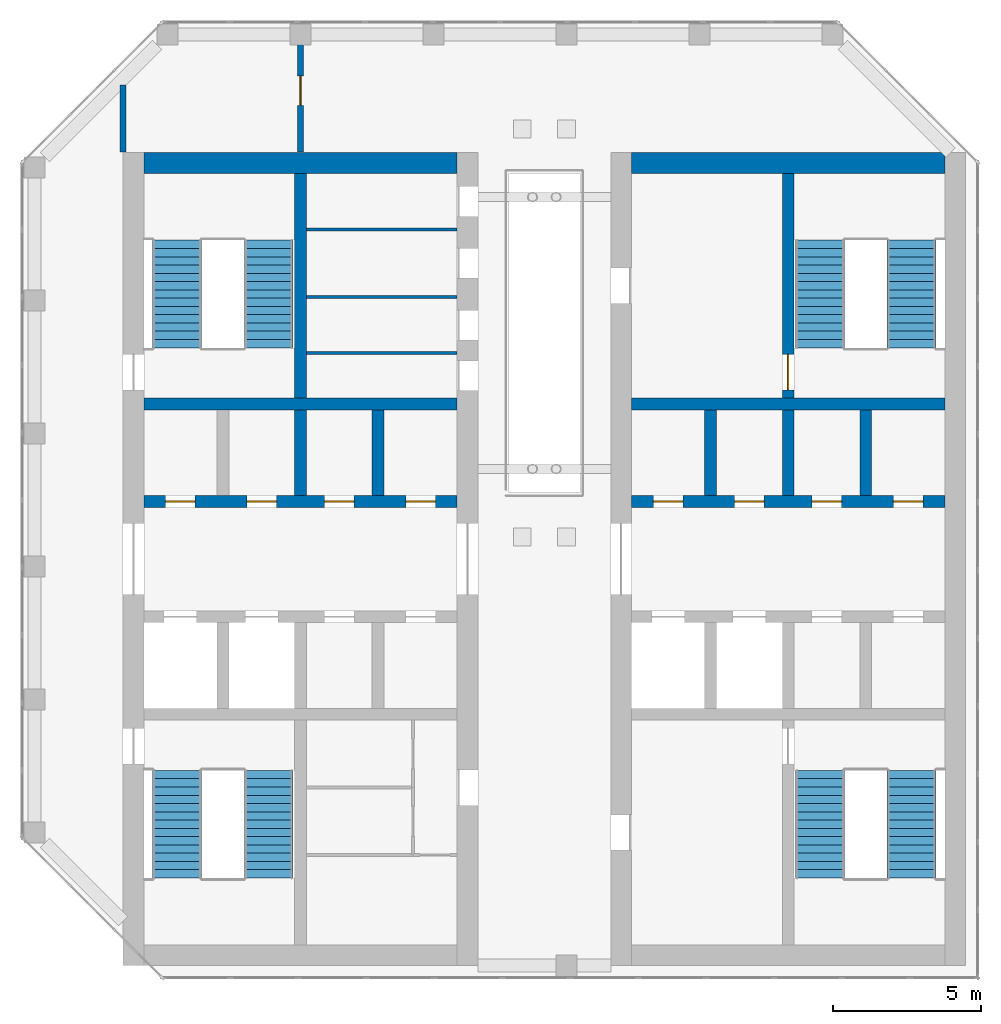
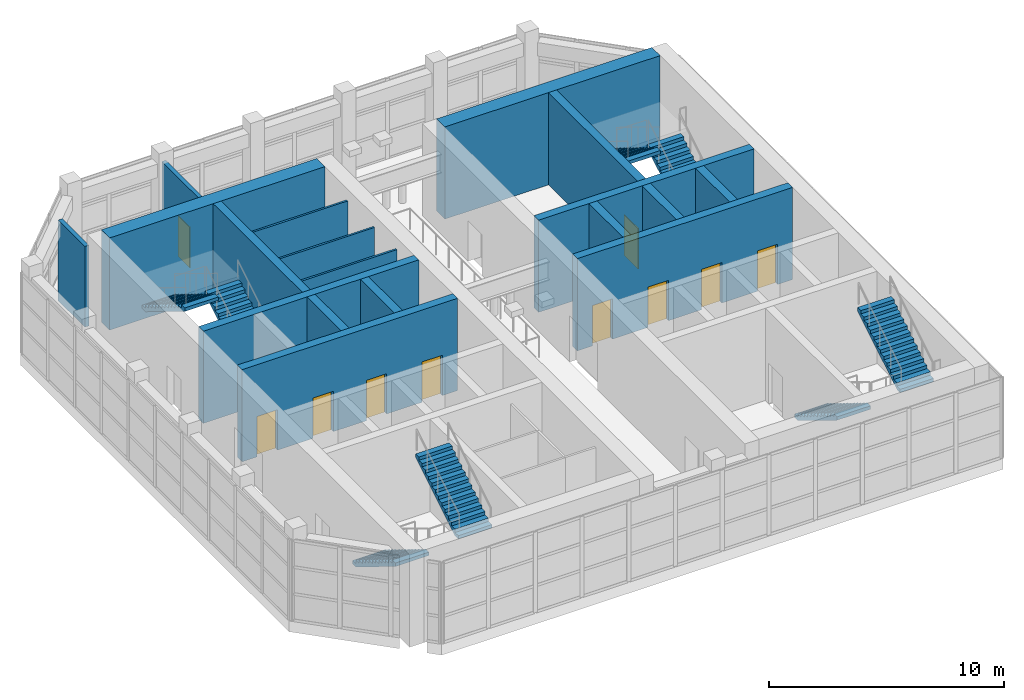
# One storey, part 11 of 13: 18 walls, 10 doors, 8 stair flights, 10 openings, 4 elements without a shape of their own.
"""IFC4 building model written with IfcOpenShell, lengths in metres."""

import ifcopenshell
import ifcopenshell.guid

model = None  # the IFC model being written
_history = None  # IfcOwnerHistory: only IFC2X3 demands one
_inside = {}  # id of a spatial element -> (the spatial element, [elements in it])
_under = {}  # id of a project, library or spatial element -> (it, [spatial elements below it])
_declared = {}  # id of a project -> (the project, [libraries it declares])
_typed = {}  # id of a type object -> (the type object, [elements of that type])
_made_of = {}  # id of a material, layer set ... -> (it, [elements and type objects made of it])


def new_model(schema):
    """Start an empty IFC model of exactly this schema.

    Asked for "IFC4X3", IfcOpenShell would pick the latest addendum, in which some entities
    have other attributes; the version numbers below select the first issue.
    IFC2X3 requires an IfcOwnerHistory on every rooted entity: one is made here for all.
    """
    global model, _history
    if schema == "IFC4X3":
        model = ifcopenshell.file(schema_version=(4, 3, 0, 0))
    else:
        model = ifcopenshell.file(schema=schema)
    _inside.clear()
    _under.clear()
    _declared.clear()
    _typed.clear()
    _made_of.clear()
    _history = None
    if model.schema == "IFC2X3":
        org = make("IfcOrganization", Name="unknown")
        user = make(
            "IfcPersonAndOrganization",
            ThePerson=make("IfcPerson", FamilyName="unknown"),
            TheOrganization=org,
        )
        app = make(
            "IfcApplication",
            ApplicationDeveloper=org,
            Version="unknown",
            ApplicationFullName="unknown",
            ApplicationIdentifier="unknown",
        )
        _history = make(
            "IfcOwnerHistory",
            OwningUser=user,
            OwningApplication=app,
            ChangeAction="ADDED",
            CreationDate=0,
        )
    return model


def make(cls, **values):
    """One entity of the class cls with the attributes given. An attribute that is None is left unset."""
    return model.create_entity(
        cls, **{name: value for name, value in values.items() if value is not None}
    )


def rooted(cls, **values):
    """An entity with a GlobalId (a new one), such as an element, a storey or a relation."""
    return make(cls, GlobalId=ifcopenshell.guid.new(), OwnerHistory=_history, **values)


def si_unit(unit_type, name, prefix=None):
    """IfcSIUnit, for example si_unit("LENGTHUNIT", "METRE", prefix="MILLI")."""
    return make("IfcSIUnit", UnitType=unit_type, Prefix=prefix, Name=name)


def assignment(units):
    """IfcUnitAssignment: the units of a project."""
    return None if units is None else make("IfcUnitAssignment", Units=units)


def point(xyz):
    """IfcCartesianPoint."""
    return None if xyz is None else make("IfcCartesianPoint", Coordinates=xyz)


def direction(xyz):
    """IfcDirection."""
    return None if xyz is None else make("IfcDirection", DirectionRatios=xyz)


def frame(location, z_axis=None, x_axis=None):
    """IfcAxis2Placement3D, a coordinate frame: its origin and axes. An axis left out is left unset."""
    return make(
        "IfcAxis2Placement3D",
        Location=point(location),
        Axis=direction(z_axis),
        RefDirection=direction(x_axis),
    )


def frame_2d(location, x_axis=None):
    """IfcAxis2Placement2D, a coordinate frame in the plane: its origin and x axis."""
    return make(
        "IfcAxis2Placement2D", Location=point(location), RefDirection=direction(x_axis)
    )


def origin():
    """The frame at (0, 0, 0) with its axes left unset."""
    return frame((0.0, 0.0, 0.0))


def place(relative_to, where):
    """IfcLocalPlacement: puts the frame where relative to a parent placement (None: the world)."""
    return make(
        "IfcLocalPlacement", PlacementRelTo=relative_to, RelativePlacement=where
    )


def context(
    kind, dimensions, precision=None, world=None, true_north=None, identifier=None
):
    """IfcGeometricRepresentationContext, for example the 3D "Model" context."""
    return make(
        "IfcGeometricRepresentationContext",
        ContextIdentifier=identifier,
        ContextType=kind,
        CoordinateSpaceDimension=dimensions,
        Precision=precision,
        WorldCoordinateSystem=world,
        TrueNorth=true_north,
    )


def subcontext(parent, identifier, kind, view, scale=None):
    """IfcGeometricRepresentationSubContext, for example "Body" below "Model"."""
    return make(
        "IfcGeometricRepresentationSubContext",
        ContextIdentifier=identifier,
        ContextType=kind,
        ParentContext=parent,
        TargetScale=scale,
        TargetView=view,
    )


def project(units=None, contexts=None):
    """IfcProject with its units and contexts."""
    return rooted(
        "IfcProject",
        Name="project",
        RepresentationContexts=contexts,
        UnitsInContext=assignment(units),
    )


def spatial(cls, under=None, at=None, **own):
    """A site, building, storey or space (cls), placed at a placement, below another one or the project."""
    s = rooted(cls, ObjectPlacement=at, **own)
    if under is not None:
        _under.setdefault(under.id(), (under, []))[1].append(s)
    return s


def polyline(points):
    """IfcPolyline through the points."""
    return make("IfcPolyline", Points=[point(p) for p in points])


def profile(cls, at=None, kind="AREA", **sizes):
    """A parametric profile (cls). Its sizes go by their IFC names, for example OverallWidth=200.0."""
    return make(cls, ProfileType=kind, Position=at, **sizes)


def rectangle(**sizes):
    """IfcRectangleProfileDef."""
    return profile("IfcRectangleProfileDef", **sizes)


def outline(outer, holes=None, kind="AREA"):
    """IfcArbitraryClosedProfileDef: a profile drawn as a closed curve; with holes, ...WithVoids."""
    if holes is None:
        return make("IfcArbitraryClosedProfileDef", ProfileType=kind, OuterCurve=outer)
    return make(
        "IfcArbitraryProfileDefWithVoids",
        ProfileType=kind,
        OuterCurve=outer,
        InnerCurves=holes,
    )


def extrude(swept, where, along, depth):
    """IfcExtrudedAreaSolid: the profile swept, set in the frame where, extruded along a direction by depth."""
    return make(
        "IfcExtrudedAreaSolid",
        SweptArea=swept,
        Position=where,
        ExtrudedDirection=direction(along),
        Depth=depth,
    )


def shape(context_of_items, identifier, shape_type, items):
    """IfcShapeRepresentation: the items that make up one representation, for example the "Body"."""
    return make(
        "IfcShapeRepresentation",
        ContextOfItems=context_of_items,
        RepresentationIdentifier=identifier,
        RepresentationType=shape_type,
        Items=items,
    )


def material(Name=None, Category=None):
    """IfcMaterial."""
    return make("IfcMaterial", Name=Name, Category=Category)


def layer(
    of_material, thickness, ventilated=None, Name=None, Category=None, Priority=None
):
    """IfcMaterialLayer: one layer of a wall or slab, of a material (None: an air gap)."""
    return make(
        "IfcMaterialLayer",
        Material=of_material,
        LayerThickness=thickness,
        IsVentilated=ventilated,
        Name=Name,
        Category=Category,
        Priority=Priority,
    )


def layer_set(layers, Name=None):
    """IfcMaterialLayerSet."""
    return make("IfcMaterialLayerSet", MaterialLayers=layers, LayerSetName=Name)


def made_of(thing, what):
    """Note that an element or type object is made of a material, layer set ...; save() writes the relation."""
    if what is not None:
        _made_of.setdefault(what.id(), (what, []))[1].append(thing)
    return thing


def type_object(cls, material=None, **own):
    """A type object (cls), such as IfcWallType, which elements share."""
    return made_of(rooted(cls, **own), material)


def element(
    cls,
    number,
    at=None,
    inside=None,
    cuts=None,
    type_object=None,
    material=None,
    context=None,
    identifier="Body",
    shape_type=None,
    held_by="IfcProductDefinitionShape",
    body=None,
    shapes=None,
    **own,
):
    """One element of the class cls, such as IfcWall. Its Tag is "e" and its number.

    at: its placement. inside: the storey or other place that contains it. cuts: it is an
    opening in that element (IfcRelVoidsElement). A single representation is given by context,
    identifier, shape_type and body (its items); several are given by shapes. held_by: the class
    of the entity that holds the representations. save() writes the other relations.
    """
    e = rooted(cls, Tag="e%d" % number, ObjectPlacement=at, **own)
    if body is not None:
        shapes = [shape(context, identifier, shape_type, body)]
    if shapes is not None:
        e.Representation = make(held_by, Representations=shapes)
    if inside is not None:
        _inside.setdefault(inside.id(), (inside, []))[1].append(e)
    if cuts is not None:
        rooted(
            "IfcRelVoidsElement", RelatingBuildingElement=cuts, RelatedOpeningElement=e
        )
    if type_object is not None:
        _typed.setdefault(type_object.id(), (type_object, []))[1].append(e)
    return made_of(e, material)


def fill(opening, filler):
    """IfcRelFillsElement: the door or window that sits in an opening."""
    return rooted(
        "IfcRelFillsElement",
        RelatingOpeningElement=opening,
        RelatedBuildingElement=filler,
    )


def aggregate(whole, parts):
    """IfcRelAggregates: a whole, such as a stair, and the parts it consists of."""
    return rooted("IfcRelAggregates", RelatingObject=whole, RelatedObjects=parts)


def save(model, path):
    """Write the relations noted so far, then the file.

    IfcRelAggregates (storeys below a building ...), IfcRelContainedInSpatialStructure (elements
    in a storey), IfcRelDefinesByType, IfcRelAssociatesMaterial and IfcRelDeclares: one each for
    every whole, place, type object, material and project.
    """
    for whole, parts in _under.values():
        aggregate(whole, parts)
    for where, things in _inside.values():
        rooted(
            "IfcRelContainedInSpatialStructure",
            RelatedElements=things,
            RelatingStructure=where,
        )
    for kind, things in _typed.values():
        rooted("IfcRelDefinesByType", RelatedObjects=things, RelatingType=kind)
    for what, things in _made_of.values():
        rooted("IfcRelAssociatesMaterial", RelatedObjects=things, RelatingMaterial=what)
    for by, libraries in _declared.values():
        rooted("IfcRelDeclares", RelatingContext=by, RelatedDefinitions=libraries)
    model.write(path)


model = new_model("IFC4")

# Units and contexts
model_context = context("Model", 3, precision=1e-05, world=origin(), true_north=direction((0.0, 1.0)))
body_context = subcontext(model_context, "Body", "Model", "MODEL_VIEW")
ifc_project = project(units=[si_unit("LENGTHUNIT", "METRE"), si_unit("AREAUNIT", "SQUARE_METRE"), si_unit("VOLUMEUNIT", "CUBIC_METRE"), si_unit("PLANEANGLEUNIT", "RADIAN"), si_unit("MASSUNIT", "GRAM", prefix="KILO")], contexts=[model_context])

# Site, building, storey
site_placement = place(None, origin())
site = spatial("IfcSite", under=ifc_project, at=site_placement, CompositionType="ELEMENT")
building_placement = place(site_placement, origin())
building = spatial("IfcBuilding", under=site, at=building_placement, Name="Corbel Stack Research Tower", CompositionType="ELEMENT")
storey_placement = place(building_placement, frame((0.0, 0.0, 316.60009765625)))
storey = spatial("IfcBuildingStorey", under=building, at=storey_placement, Name="L71", CompositionType="ELEMENT", Elevation=316.60009765625)

# Wall
ifc_material_1 = material(Name="Concrete blockwork C20/25", Category="masonry")
ifc_layer_1 = layer(ifc_material_1, 0.199951171875)
ifc_layer_set_1 = layer_set([ifc_layer_1], Name="Concrete blockwork C20/25")
wall_type_1 = type_object("IfcWallType", Name="Blockwork partition 200", PredefinedType="PARTITIONING", material=ifc_layer_set_1)
wall_1_placement = place(storey_placement, frame((-10.5, 18.52001953125, 0.0), z_axis=(0.0, 0.0, 1.0), x_axis=(0.0, 1.0, 0.0)))
element("IfcWall", 1, at=wall_1_placement, inside=storey, type_object=wall_type_1, Name="Partition L71-01", PredefinedType="PARTITIONING", context=body_context, shape_type="SweptSolid", body=[
    extrude(rectangle(XDim=2.27490234375, YDim=0.199951171875, at=frame_2d((1.137451171875, 0.0))), origin(), (0.0, 0.0, 1.0), 4.199951171875),
])

# Wall, opening, door
wall_2_placement = place(storey_placement, frame((-4.5, 22.35498046875, 0.0), z_axis=(0.0, 0.0, 1.0), x_axis=(0.0, -1.0, 0.0)))
wall_2 = element("IfcWall", 2, at=wall_2_placement, inside=storey, type_object=wall_type_1, Name="Partition L71-02", PredefinedType="PARTITIONING", context=body_context, shape_type="SweptSolid", body=[
    extrude(rectangle(XDim=3.8349609375, YDim=0.199951171875, at=frame_2d((1.91748046875, 0.0))), origin(), (0.0, 0.0, 1.0), 4.199951171875),
])
opening_1_placement = place(wall_2_placement, frame((1.2548828125, 0.0, 0.0)))
opening_1 = element("IfcOpeningElement", 3, at=opening_1_placement, cuts=wall_2, Name="Opening D71-01", PredefinedType="OPENING", context=body_context, shape_type="SweptSolid", body=[
    extrude(rectangle(XDim=1.0, YDim=2.10009765625, at=frame_2d((0.5, 1.050048828125))), frame((0.0, 0.10986328125, 0.0), z_axis=(0.0, -1.0, 0.0), x_axis=(1.0, 0.0, 0.0)), (0.0, 0.0, 1.0), 0.219970703125),
])
ifc_material_2 = material(Name="Steel, painted", Category="steel")
door_type_1 = type_object("IfcDoorType", Name="Steel door 1000 x 2100 FD60", OperationType="SINGLE_SWING_LEFT", PredefinedType="DOOR", material=ifc_material_2)
door_1_placement = place(opening_1_placement, origin())
door_1 = element("IfcDoor", 4, at=door_1_placement, inside=storey, type_object=door_type_1, Name="Damper maintenance workshop door", OperationType="SINGLE_SWING_LEFT", OverallHeight=2.10009765625, OverallWidth=1.0, PredefinedType="DOOR", context=body_context, shape_type="SweptSolid", body=[
    extrude(rectangle(XDim=1.0, YDim=2.10009765625, at=frame_2d((0.5, 1.050048828125))), frame((0.0, 0.02490234375, 0.0), z_axis=(0.0, -1.0, 0.0), x_axis=(1.0, 0.0, 0.0)), (0.0, 0.0, 1.0), 0.050048828125),
])
fill(opening_1, door_1)

# Wall, openings, doors
ifc_material_3 = material(Name="Concrete C60/75", Category="concrete")
ifc_layer_2 = layer(ifc_material_3, 0.39990234375)
ifc_layer_set_2 = layer_set([ifc_layer_2], Name="Concrete C60/75")
wall_type_2 = type_object("IfcWallType", Name="CW-400-60", PredefinedType="SHEAR", material=ifc_layer_set_2)
wall_3_placement = place(storey_placement, frame((-9.800048828125, 6.699951171875, 0.0), z_axis=(0.0, 0.0, 1.0), x_axis=(1.0, 0.0, 0.0)))
wall_3 = element("IfcWall", 5, at=wall_3_placement, inside=storey, type_object=wall_type_2, Name="West core wall, lobby north L71", PredefinedType="SHEAR", context=body_context, shape_type="SweptSolid", body=[
    extrude(rectangle(XDim=10.60009765625, YDim=0.39990234375, at=frame_2d((5.300048828125, 0.0))), origin(), (0.0, 0.0, 1.0), 4.7998046875),
])
opening_2_placement = place(wall_3_placement, frame((0.737548828125, 0.0, 0.0)))
opening_2 = element("IfcOpeningElement", 6, at=opening_2_placement, cuts=wall_3, Name="Opening CR-W66-N1", PredefinedType="OPENING", context=body_context, shape_type="SweptSolid", body=[
    extrude(rectangle(XDim=1.0, YDim=2.10009765625, at=frame_2d((0.5, 1.050048828125))), frame((0.0, 0.2099609375, 0.0), z_axis=(0.0, -1.0, 0.0), x_axis=(1.0, 0.0, 0.0)), (0.0, 0.0, 1.0), 0.419921875),
])
opening_3_placement = place(wall_3_placement, frame((3.487548828125, 0.0, 0.0)))
opening_3 = element("IfcOpeningElement", 7, at=opening_3_placement, cuts=wall_3, Name="Opening CR-W66-N2", PredefinedType="OPENING", context=body_context, shape_type="SweptSolid", body=[
    extrude(rectangle(XDim=1.0, YDim=2.10009765625, at=frame_2d((0.5, 1.050048828125))), frame((0.0, 0.2099609375, 0.0), z_axis=(0.0, -1.0, 0.0), x_axis=(1.0, 0.0, 0.0)), (0.0, 0.0, 1.0), 0.419921875),
])
opening_4_placement = place(wall_3_placement, frame((6.112548828125, 0.0, 0.0)))
opening_4 = element("IfcOpeningElement", 8, at=opening_4_placement, cuts=wall_3, Name="Opening CR-W66-N3", PredefinedType="OPENING", context=body_context, shape_type="SweptSolid", body=[
    extrude(rectangle(XDim=1.0, YDim=2.10009765625, at=frame_2d((0.5, 1.050048828125))), frame((0.0, 0.2099609375, 0.0), z_axis=(0.0, -1.0, 0.0), x_axis=(1.0, 0.0, 0.0)), (0.0, 0.0, 1.0), 0.419921875),
])
opening_5_placement = place(wall_3_placement, frame((8.862548828125, 0.0, 0.0)))
opening_5 = element("IfcOpeningElement", 9, at=opening_5_placement, cuts=wall_3, Name="Opening CR-W66-N4", PredefinedType="OPENING", context=body_context, shape_type="SweptSolid", body=[
    extrude(rectangle(XDim=1.0, YDim=2.10009765625, at=frame_2d((0.5, 1.050048828125))), frame((0.0, 0.2099609375, 0.0), z_axis=(0.0, -1.0, 0.0), x_axis=(1.0, 0.0, 0.0)), (0.0, 0.0, 1.0), 0.419921875),
])
ifc_material_4 = material(Name="Painted steel door", Category="steel")
door_type_2 = type_object("IfcDoorType", Name="Service door 1000 x 2100 FD60 left hand", OperationType="SINGLE_SWING_LEFT", PredefinedType="DOOR", material=ifc_material_4)
door_2_placement = place(opening_2_placement, origin())
door_2 = element("IfcDoor", 10, at=door_2_placement, inside=storey, type_object=door_type_2, Name="Mechanical room door W core", OperationType="SINGLE_SWING_LEFT", OverallHeight=2.10009765625, OverallWidth=1.0, PredefinedType="DOOR", context=body_context, shape_type="SweptSolid", body=[
    extrude(rectangle(XDim=1.0, YDim=2.10009765625, at=frame_2d((0.5, 1.050048828125))), frame((0.0, 0.02490234375, 0.0), z_axis=(0.0, -1.0, 0.0), x_axis=(1.0, 0.0, 0.0)), (0.0, 0.0, 1.0), 0.050048828125),
])
fill(opening_2, door_2)
door_3_placement = place(opening_4_placement, origin())
door_3 = element("IfcDoor", 11, at=door_3_placement, inside=storey, type_object=door_type_2, Name="Electrical room door W core", OperationType="SINGLE_SWING_LEFT", OverallHeight=2.10009765625, OverallWidth=1.0, PredefinedType="DOOR", context=body_context, shape_type="SweptSolid", body=[
    extrude(rectangle(XDim=1.0, YDim=2.10009765625, at=frame_2d((0.5, 1.050048828125))), frame((0.0, 0.02490234375, 0.0), z_axis=(0.0, -1.0, 0.0), x_axis=(1.0, 0.0, 0.0)), (0.0, 0.0, 1.0), 0.050048828125),
])
fill(opening_4, door_3)
ifc_material_5 = material(Name="Painted steel door", Category="steel")
door_type_3 = type_object("IfcDoorType", Name="Service door 1000 x 2100 FD60 right hand", OperationType="SINGLE_SWING_RIGHT", PredefinedType="DOOR", material=ifc_material_5)
door_4_placement = place(opening_3_placement, origin())
door_4 = element("IfcDoor", 12, at=door_4_placement, inside=storey, type_object=door_type_3, Name="Electrical room door W core", OperationType="SINGLE_SWING_RIGHT", OverallHeight=2.10009765625, OverallWidth=1.0, PredefinedType="DOOR", context=body_context, shape_type="SweptSolid", body=[
    extrude(rectangle(XDim=1.0, YDim=2.10009765625, at=frame_2d((0.5, 1.050048828125))), frame((0.0, 0.02490234375, 0.0), z_axis=(0.0, -1.0, 0.0), x_axis=(1.0, 0.0, 0.0)), (0.0, 0.0, 1.0), 0.050048828125),
])
fill(opening_3, door_4)
door_5_placement = place(opening_5_placement, origin())
door_5 = element("IfcDoor", 13, at=door_5_placement, inside=storey, type_object=door_type_3, Name="Electrical room door W core", OperationType="SINGLE_SWING_RIGHT", OverallHeight=2.10009765625, OverallWidth=1.0, PredefinedType="DOOR", context=body_context, shape_type="SweptSolid", body=[
    extrude(rectangle(XDim=1.0, YDim=2.10009765625, at=frame_2d((0.5, 1.050048828125))), frame((0.0, 0.02490234375, 0.0), z_axis=(0.0, -1.0, 0.0), x_axis=(1.0, 0.0, 0.0)), (0.0, 0.0, 1.0), 0.050048828125),
])
fill(opening_5, door_5)

# Walls
wall_4_placement = place(storey_placement, frame((-9.800048828125, 10.0, 0.0), z_axis=(0.0, 0.0, 1.0), x_axis=(1.0, 0.0, 0.0)))
element("IfcWall", 14, at=wall_4_placement, inside=storey, type_object=wall_type_2, Name="West core wall, north row back L71", PredefinedType="SHEAR", context=body_context, shape_type="SweptSolid", body=[
    extrude(rectangle(XDim=10.60009765625, YDim=0.39990234375, at=frame_2d((5.300048828125, 0.0))), origin(), (0.0, 0.0, 1.0), 4.7998046875),
])
for number, where, z_axis, x_axis, name in (
    (15, (-4.5, 6.89990234375, 0.0), (0.0, 0.0, 1.0), (0.0, 1.0, 0.0), "West core wall, north shaft 2 L71"),
    (16, (-1.875, 6.89990234375, 0.0), (0.0, 0.0, 1.0), (0.0, 1.0, 0.0), "West core wall, north shaft 3 L71"),
):
    element("IfcWall", number, at=place(storey_placement, frame(where, z_axis=z_axis, x_axis=x_axis)), inside=storey, type_object=wall_type_2, Name=name, PredefinedType="SHEAR", context=body_context, shape_type="SweptSolid", body=[
        extrude(rectangle(XDim=2.900146484375, YDim=0.39990234375, at=frame_2d((1.4501953125, 0.0))), origin(), (0.0, 0.0, 1.0), 4.7998046875),
    ])
wall_5_placement = place(storey_placement, frame((-4.5, 10.199951171875, 0.0), z_axis=(0.0, 0.0, 1.0), x_axis=(0.0, 1.0, 0.0)))
element("IfcWall", 17, at=wall_5_placement, inside=storey, type_object=wall_type_2, Name="West core wall, north stair and riser L71", PredefinedType="SHEAR", context=body_context, shape_type="SweptSolid", body=[
    extrude(rectangle(XDim=7.60009765625, YDim=0.39990234375, at=frame_2d((3.800048828125, 0.0))), origin(), (0.0, 0.0, 1.0), 4.7998046875),
])

# Wall, openings, doors
wall_6_placement = place(storey_placement, frame((6.699951171875, 6.699951171875, 0.0), z_axis=(0.0, 0.0, 1.0), x_axis=(1.0, 0.0, 0.0)))
wall_6 = element("IfcWall", 18, at=wall_6_placement, inside=storey, type_object=wall_type_2, Name="East core wall, lobby north L71", PredefinedType="SHEAR", context=body_context, shape_type="SweptSolid", body=[
    extrude(rectangle(XDim=10.60009765625, YDim=0.39990234375, at=frame_2d((5.300048828125, 0.0))), origin(), (0.0, 0.0, 1.0), 4.7998046875),
])
opening_6_placement = place(wall_6_placement, frame((0.737548828125, 0.0, 0.0)))
opening_6 = element("IfcOpeningElement", 19, at=opening_6_placement, cuts=wall_6, Name="Opening CR-E66v-N1", PredefinedType="OPENING", context=body_context, shape_type="SweptSolid", body=[
    extrude(rectangle(XDim=1.0, YDim=2.10009765625, at=frame_2d((0.5, 1.050048828125))), frame((0.0, 0.2099609375, 0.0), z_axis=(0.0, -1.0, 0.0), x_axis=(1.0, 0.0, 0.0)), (0.0, 0.0, 1.0), 0.419921875),
])
opening_7_placement = place(wall_6_placement, frame((3.487548828125, 0.0, 0.0)))
opening_7 = element("IfcOpeningElement", 20, at=opening_7_placement, cuts=wall_6, Name="Opening CR-E66v-N2", PredefinedType="OPENING", context=body_context, shape_type="SweptSolid", body=[
    extrude(rectangle(XDim=1.0, YDim=2.10009765625, at=frame_2d((0.5, 1.050048828125))), frame((0.0, 0.2099609375, 0.0), z_axis=(0.0, -1.0, 0.0), x_axis=(1.0, 0.0, 0.0)), (0.0, 0.0, 1.0), 0.419921875),
])
opening_8_placement = place(wall_6_placement, frame((6.112548828125, 0.0, 0.0)))
opening_8 = element("IfcOpeningElement", 21, at=opening_8_placement, cuts=wall_6, Name="Opening CR-E66v-N3", PredefinedType="OPENING", context=body_context, shape_type="SweptSolid", body=[
    extrude(rectangle(XDim=1.0, YDim=2.10009765625, at=frame_2d((0.5, 1.050048828125))), frame((0.0, 0.2099609375, 0.0), z_axis=(0.0, -1.0, 0.0), x_axis=(1.0, 0.0, 0.0)), (0.0, 0.0, 1.0), 0.419921875),
])
opening_9_placement = place(wall_6_placement, frame((8.862548828125, 0.0, 0.0)))
opening_9 = element("IfcOpeningElement", 22, at=opening_9_placement, cuts=wall_6, Name="Opening CR-E66v-N4", PredefinedType="OPENING", context=body_context, shape_type="SweptSolid", body=[
    extrude(rectangle(XDim=1.0, YDim=2.10009765625, at=frame_2d((0.5, 1.050048828125))), frame((0.0, 0.2099609375, 0.0), z_axis=(0.0, -1.0, 0.0), x_axis=(1.0, 0.0, 0.0)), (0.0, 0.0, 1.0), 0.419921875),
])
door_6_placement = place(opening_6_placement, origin())
door_6 = element("IfcDoor", 23, at=door_6_placement, inside=storey, type_object=door_type_2, Name="Telecom room door E core", OperationType="SINGLE_SWING_LEFT", OverallHeight=2.10009765625, OverallWidth=1.0, PredefinedType="DOOR", context=body_context, shape_type="SweptSolid", body=[
    extrude(rectangle(XDim=1.0, YDim=2.10009765625, at=frame_2d((0.5, 1.050048828125))), frame((0.0, 0.02490234375, 0.0), z_axis=(0.0, -1.0, 0.0), x_axis=(1.0, 0.0, 0.0)), (0.0, 0.0, 1.0), 0.050048828125),
])
fill(opening_6, door_6)
door_7_placement = place(opening_8_placement, origin())
door_7 = element("IfcDoor", 24, at=door_7_placement, inside=storey, type_object=door_type_2, Name="Mechanical room door E core", OperationType="SINGLE_SWING_LEFT", OverallHeight=2.10009765625, OverallWidth=1.0, PredefinedType="DOOR", context=body_context, shape_type="SweptSolid", body=[
    extrude(rectangle(XDim=1.0, YDim=2.10009765625, at=frame_2d((0.5, 1.050048828125))), frame((0.0, 0.02490234375, 0.0), z_axis=(0.0, -1.0, 0.0), x_axis=(1.0, 0.0, 0.0)), (0.0, 0.0, 1.0), 0.050048828125),
])
fill(opening_8, door_7)
door_8_placement = place(opening_7_placement, origin())
door_8 = element("IfcDoor", 25, at=door_8_placement, inside=storey, type_object=door_type_3, Name="Mechanical room door E core", OperationType="SINGLE_SWING_RIGHT", OverallHeight=2.10009765625, OverallWidth=1.0, PredefinedType="DOOR", context=body_context, shape_type="SweptSolid", body=[
    extrude(rectangle(XDim=1.0, YDim=2.10009765625, at=frame_2d((0.5, 1.050048828125))), frame((0.0, 0.02490234375, 0.0), z_axis=(0.0, -1.0, 0.0), x_axis=(1.0, 0.0, 0.0)), (0.0, 0.0, 1.0), 0.050048828125),
])
fill(opening_7, door_8)
door_9_placement = place(opening_9_placement, origin())
door_9 = element("IfcDoor", 26, at=door_9_placement, inside=storey, type_object=door_type_3, Name="Mechanical room door E core", OperationType="SINGLE_SWING_RIGHT", OverallHeight=2.10009765625, OverallWidth=1.0, PredefinedType="DOOR", context=body_context, shape_type="SweptSolid", body=[
    extrude(rectangle(XDim=1.0, YDim=2.10009765625, at=frame_2d((0.5, 1.050048828125))), frame((0.0, 0.02490234375, 0.0), z_axis=(0.0, -1.0, 0.0), x_axis=(1.0, 0.0, 0.0)), (0.0, 0.0, 1.0), 0.050048828125),
])
fill(opening_9, door_9)

# Walls
wall_7_placement = place(storey_placement, frame((6.699951171875, 10.0, 0.0), z_axis=(0.0, 0.0, 1.0), x_axis=(1.0, 0.0, 0.0)))
element("IfcWall", 27, at=wall_7_placement, inside=storey, type_object=wall_type_2, Name="East core wall, north row back L71", PredefinedType="SHEAR", context=body_context, shape_type="SweptSolid", body=[
    extrude(rectangle(XDim=10.60009765625, YDim=0.39990234375, at=frame_2d((5.300048828125, 0.0))), origin(), (0.0, 0.0, 1.0), 4.7998046875),
])
for number, where, z_axis, x_axis, name in (
    (28, (9.375, 6.89990234375, 0.0), (0.0, 0.0, 1.0), (0.0, 1.0, 0.0), "East core wall, north shaft 1 L71"),
    (29, (12.0, 6.89990234375, 0.0), (0.0, 0.0, 1.0), (0.0, 1.0, 0.0), "East core wall, north shaft 2 L71"),
    (30, (14.625, 6.89990234375, 0.0), (0.0, 0.0, 1.0), (0.0, 1.0, 0.0), "East core wall, north shaft 3 L71"),
):
    element("IfcWall", number, at=place(storey_placement, frame(where, z_axis=z_axis, x_axis=x_axis)), inside=storey, type_object=wall_type_2, Name=name, PredefinedType="SHEAR", context=body_context, shape_type="SweptSolid", body=[
        extrude(rectangle(XDim=2.900146484375, YDim=0.39990234375, at=frame_2d((1.4501953125, 0.0))), origin(), (0.0, 0.0, 1.0), 4.7998046875),
    ])

# Wall, opening, door
wall_8_placement = place(storey_placement, frame((12.0, 10.199951171875, 0.0), z_axis=(0.0, 0.0, 1.0), x_axis=(0.0, 1.0, 0.0)))
wall_8 = element("IfcWall", 31, at=wall_8_placement, inside=storey, type_object=wall_type_2, Name="East core wall, north stair and riser L71", PredefinedType="SHEAR", context=body_context, shape_type="SweptSolid", body=[
    extrude(rectangle(XDim=7.60009765625, YDim=0.39990234375, at=frame_2d((3.800048828125, 0.0))), origin(), (0.0, 0.0, 1.0), 4.7998046875),
])
opening_10_placement = place(wall_8_placement, frame((0.27490234375, 0.0, 0.0)))
opening_10 = element("IfcOpeningElement", 32, at=opening_10_placement, cuts=wall_8, Name="Opening SD-ST-E2", PredefinedType="OPENING", context=body_context, shape_type="SweptSolid", body=[
    extrude(rectangle(XDim=1.199951171875, YDim=2.10009765625, at=frame_2d((0.60009765625, 1.050048828125))), frame((0.0, 0.2099609375, 0.0), z_axis=(0.0, -1.0, 0.0), x_axis=(1.0, 0.0, 0.0)), (0.0, 0.0, 1.0), 0.419921875),
])
ifc_material_6 = material(Name="Painted steel fire door", Category="steel")
door_type_4 = type_object("IfcDoorType", Name="Stair door 1200 x 2100 FD90 right hand", OperationType="SINGLE_SWING_RIGHT", PredefinedType="DOOR", material=ifc_material_6)
door_10_placement = place(opening_10_placement, origin())
door_10 = element("IfcDoor", 33, at=door_10_placement, inside=storey, type_object=door_type_4, Name="Stair door ST-E2", OperationType="SINGLE_SWING_RIGHT", OverallHeight=2.10009765625, OverallWidth=1.199951171875, PredefinedType="DOOR", context=body_context, shape_type="SweptSolid", body=[
    extrude(rectangle(XDim=1.199951171875, YDim=2.10009765625, at=frame_2d((0.60009765625, 1.050048828125))), frame((0.0, 0.02490234375, 0.0), z_axis=(0.0, -1.0, 0.0), x_axis=(1.0, 0.0, 0.0)), (0.0, 0.0, 1.0), 0.050048828125),
])
fill(opening_10, door_10)

# Walls
ifc_material_7 = material(Name="Concrete C60/75", Category="concrete")
ifc_layer_3 = layer(ifc_material_7, 0.699951171875)
ifc_layer_set_3 = layer_set([ifc_layer_3], Name="Concrete C60/75")
wall_type_3 = type_object("IfcWallType", Name="CW-700-60", PredefinedType="SHEAR", material=ifc_layer_set_3)
for number, where, z_axis, x_axis, name in (
    (34, (-9.800048828125, 18.14990234375, 0.0), (0.0, 0.0, 1.0), (1.0, 0.0, 0.0), "West core wall, north end L71"),
    (35, (6.699951171875, 18.14990234375, 0.0), (0.0, 0.0, 1.0), (1.0, 0.0, 0.0), "East core wall, north end L71"),
):
    element("IfcWall", number, at=place(storey_placement, frame(where, z_axis=z_axis, x_axis=x_axis)), inside=storey, type_object=wall_type_3, Name=name, PredefinedType="SHEAR", context=body_context, shape_type="SweptSolid", body=[
        extrude(rectangle(XDim=10.60009765625, YDim=0.699951171875, at=frame_2d((5.300048828125, 0.0))), origin(), (0.0, 0.0, 1.0), 4.7998046875),
    ])
ifc_material_8 = material(Name="Gypsum board")
ifc_layer_4 = layer(ifc_material_8, 0.10009765625)
ifc_layer_set_4 = layer_set([ifc_layer_4], Name="Gypsum board")
wall_type_4 = type_object("IfcWallType", Name="Core partition 100", PredefinedType="PARTITIONING", material=ifc_layer_set_4)
for number, where, z_axis, x_axis, name in (
    (36, (-4.300048828125, 11.719970703125, 0.0), (0.0, 0.0, 1.0), (1.0, 0.0, 0.0), "Core partition W"),
    (37, (-4.300048828125, 13.6201171875, 0.0), (0.0, 0.0, 1.0), (1.0, 0.0, 0.0), "Core partition W"),
    (38, (-4.300048828125, 15.89990234375, 0.0), (0.0, 0.0, 1.0), (1.0, 0.0, 0.0), "Core partition W"),
):
    element("IfcWall", number, at=place(storey_placement, frame(where, z_axis=z_axis, x_axis=x_axis)), inside=storey, type_object=wall_type_4, Name=name, PredefinedType="PARTITIONING", context=body_context, shape_type="SweptSolid", body=[
        extrude(rectangle(XDim=5.10009765625, YDim=0.10009765625, at=frame_2d((2.550048828125, 0.0))), origin(), (0.0, 0.0, 1.0), 4.199951171875),
    ])

# Stair, stair flights
ifc_material_9 = material(Name="Concrete C40/50", Category="concrete")
stair_type = type_object("IfcStairType", Name="Exit stair 28 risers", PredefinedType="HALF_TURN_STAIR", material=ifc_material_9)
stair_1_placement = place(storey_placement, origin())
stair_1 = element("IfcStair", 39, at=stair_1_placement, inside=storey, type_object=stair_type, Name="L71 Exit stair ST-W1", PredefinedType="HALF_TURN_STAIR")
ifc_material_10 = material(Name="Concrete C40/50", Category="concrete")
stair_flight_type = type_object("IfcStairFlightType", Name="Stair flight 14 risers", PredefinedType="STRAIGHT", material=ifc_material_10)
stair_flight_1_placement = place(storey_placement, frame((-8.675048828125, -2.39990234375, 0.0), z_axis=(0.0, 0.0, 1.0), x_axis=(0.0, -1.0, 0.0)))
stair_flight_1 = element("IfcStairFlight", 40, at=stair_flight_1_placement, type_object=stair_flight_type, Name="ST-W1 flight 1", NumberOfRisers=14, NumberOfTreads=13, PredefinedType="STRAIGHT", RiserHeight=0.171428571, TreadLength=0.28, context=body_context, shape_type="SweptSolid", body=[
    extrude(outline(polyline([(0.0, 0.0), (0.0, 0.17138671875), (0.280029296875, 0.17138671875), (0.280029296875, 0.3427734375), (0.56005859375, 0.3427734375), (0.56005859375, 0.514404296875), (0.840087890625, 0.514404296875), (0.840087890625, 0.685791015625), (1.1201171875, 0.685791015625), (1.1201171875, 0.857177734375), (1.39990234375, 0.857177734375), (1.39990234375, 1.028564453125), (1.679931640625, 1.028564453125), (1.679931640625, 1.199951171875), (1.9599609375, 1.199951171875), (1.9599609375, 1.371337890625), (2.239990234375, 1.371337890625), (2.239990234375, 1.54296875), (2.52001953125, 1.54296875), (2.52001953125, 1.71435546875), (2.800048828125, 1.71435546875), (2.800048828125, 1.8857421875), (3.080078125, 1.8857421875), (3.080078125, 2.05712890625), (3.360107421875, 2.05712890625), (3.360107421875, 2.228515625), (3.639892578125, 2.228515625), (3.639892578125, 2.39990234375), (3.639892578125, 2.052734375), (0.287109375, 0.0), (0.0, 0.0)])), frame((0.0, 0.824951171875, 0.0), z_axis=(0.0, -1.0, 0.0), x_axis=(1.0, 0.0, 0.0)), (0.0, 0.0, 1.0), 1.64990234375),
])
stair_flight_2_placement = place(storey_placement, frame((-5.574951171875, -6.0400390625, 2.39990234375), z_axis=(0.0, 0.0, 1.0), x_axis=(0.0, 1.0, 0.0)))
stair_flight_2 = element("IfcStairFlight", 41, at=stair_flight_2_placement, type_object=stair_flight_type, Name="ST-W1 flight 2", NumberOfRisers=14, NumberOfTreads=13, PredefinedType="STRAIGHT", RiserHeight=0.171428571, TreadLength=0.28, context=body_context, shape_type="SweptSolid", body=[
    extrude(outline(polyline([(0.0, 0.0), (0.0, 0.17138671875), (0.280029296875, 0.17138671875), (0.280029296875, 0.3427734375), (0.56005859375, 0.3427734375), (0.56005859375, 0.514404296875), (0.840087890625, 0.514404296875), (0.840087890625, 0.685791015625), (1.1201171875, 0.685791015625), (1.1201171875, 0.857177734375), (1.39990234375, 0.857177734375), (1.39990234375, 1.028564453125), (1.679931640625, 1.028564453125), (1.679931640625, 1.199951171875), (1.9599609375, 1.199951171875), (1.9599609375, 1.371337890625), (2.239990234375, 1.371337890625), (2.239990234375, 1.54296875), (2.52001953125, 1.54296875), (2.52001953125, 1.71435546875), (2.800048828125, 1.71435546875), (2.800048828125, 1.8857421875), (3.080078125, 1.8857421875), (3.080078125, 2.05712890625), (3.360107421875, 2.05712890625), (3.360107421875, 2.228515625), (3.639892578125, 2.228515625), (3.639892578125, 2.39990234375), (3.639892578125, 2.052734375), (0.287109375, 0.0), (0.0, 0.0)])), frame((0.0, 0.824951171875, 0.0), z_axis=(0.0, -1.0, 0.0), x_axis=(1.0, 0.0, 0.0)), (0.0, 0.0, 1.0), 1.64990234375),
])
aggregate(stair_1, [stair_flight_1, stair_flight_2])

stair_2_placement = place(storey_placement, origin())
stair_2 = element("IfcStair", 42, at=stair_2_placement, inside=storey, type_object=stair_type, Name="L71 Exit stair ST-W2", PredefinedType="HALF_TURN_STAIR")
stair_flight_3_placement = place(storey_placement, frame((-5.574951171875, 11.89990234375, 0.0), z_axis=(0.0, 0.0, 1.0), x_axis=(0.0, 1.0, 0.0)))
stair_flight_3 = element("IfcStairFlight", 43, at=stair_flight_3_placement, type_object=stair_flight_type, Name="ST-W2 flight 1", NumberOfRisers=14, NumberOfTreads=13, PredefinedType="STRAIGHT", RiserHeight=0.171428571, TreadLength=0.28, context=body_context, shape_type="SweptSolid", body=[
    extrude(outline(polyline([(0.0, 0.0), (0.0, 0.17138671875), (0.280029296875, 0.17138671875), (0.280029296875, 0.3427734375), (0.56005859375, 0.3427734375), (0.56005859375, 0.514404296875), (0.840087890625, 0.514404296875), (0.840087890625, 0.685791015625), (1.1201171875, 0.685791015625), (1.1201171875, 0.857177734375), (1.39990234375, 0.857177734375), (1.39990234375, 1.028564453125), (1.679931640625, 1.028564453125), (1.679931640625, 1.199951171875), (1.9599609375, 1.199951171875), (1.9599609375, 1.371337890625), (2.239990234375, 1.371337890625), (2.239990234375, 1.54296875), (2.52001953125, 1.54296875), (2.52001953125, 1.71435546875), (2.800048828125, 1.71435546875), (2.800048828125, 1.8857421875), (3.080078125, 1.8857421875), (3.080078125, 2.05712890625), (3.360107421875, 2.05712890625), (3.360107421875, 2.228515625), (3.639892578125, 2.228515625), (3.639892578125, 2.39990234375), (3.639892578125, 2.052734375), (0.287109375, 0.0), (0.0, 0.0)])), frame((0.0, 0.824951171875, 0.0), z_axis=(0.0, -1.0, 0.0), x_axis=(1.0, 0.0, 0.0)), (0.0, 0.0, 1.0), 1.64990234375),
])
stair_flight_4_placement = place(storey_placement, frame((-8.675048828125, 15.5400390625, 2.39990234375), z_axis=(0.0, 0.0, 1.0), x_axis=(0.0, -1.0, 0.0)))
stair_flight_4 = element("IfcStairFlight", 44, at=stair_flight_4_placement, type_object=stair_flight_type, Name="ST-W2 flight 2", NumberOfRisers=14, NumberOfTreads=13, PredefinedType="STRAIGHT", RiserHeight=0.171428571, TreadLength=0.28, context=body_context, shape_type="SweptSolid", body=[
    extrude(outline(polyline([(0.0, 0.0), (0.0, 0.17138671875), (0.280029296875, 0.17138671875), (0.280029296875, 0.3427734375), (0.56005859375, 0.3427734375), (0.56005859375, 0.514404296875), (0.840087890625, 0.514404296875), (0.840087890625, 0.685791015625), (1.1201171875, 0.685791015625), (1.1201171875, 0.857177734375), (1.39990234375, 0.857177734375), (1.39990234375, 1.028564453125), (1.679931640625, 1.028564453125), (1.679931640625, 1.199951171875), (1.9599609375, 1.199951171875), (1.9599609375, 1.371337890625), (2.239990234375, 1.371337890625), (2.239990234375, 1.54296875), (2.52001953125, 1.54296875), (2.52001953125, 1.71435546875), (2.800048828125, 1.71435546875), (2.800048828125, 1.8857421875), (3.080078125, 1.8857421875), (3.080078125, 2.05712890625), (3.360107421875, 2.05712890625), (3.360107421875, 2.228515625), (3.639892578125, 2.228515625), (3.639892578125, 2.39990234375), (3.639892578125, 2.052734375), (0.287109375, 0.0), (0.0, 0.0)])), frame((0.0, 0.824951171875, 0.0), z_axis=(0.0, -1.0, 0.0), x_axis=(1.0, 0.0, 0.0)), (0.0, 0.0, 1.0), 1.64990234375),
])
aggregate(stair_2, [stair_flight_3, stair_flight_4])

stair_3_placement = place(storey_placement, origin())
stair_3 = element("IfcStair", 45, at=stair_3_placement, inside=storey, type_object=stair_type, Name="L71 Exit stair ST-E1", PredefinedType="HALF_TURN_STAIR")
stair_flight_5_placement = place(storey_placement, frame((13.074951171875, -2.39990234375, 0.0), z_axis=(0.0, 0.0, 1.0), x_axis=(0.0, -1.0, 0.0)))
stair_flight_5 = element("IfcStairFlight", 46, at=stair_flight_5_placement, type_object=stair_flight_type, Name="ST-E1 flight 1", NumberOfRisers=14, NumberOfTreads=13, PredefinedType="STRAIGHT", RiserHeight=0.171428571, TreadLength=0.28, context=body_context, shape_type="SweptSolid", body=[
    extrude(outline(polyline([(0.0, 0.0), (0.0, 0.17138671875), (0.280029296875, 0.17138671875), (0.280029296875, 0.3427734375), (0.56005859375, 0.3427734375), (0.56005859375, 0.514404296875), (0.840087890625, 0.514404296875), (0.840087890625, 0.685791015625), (1.1201171875, 0.685791015625), (1.1201171875, 0.857177734375), (1.39990234375, 0.857177734375), (1.39990234375, 1.028564453125), (1.679931640625, 1.028564453125), (1.679931640625, 1.199951171875), (1.9599609375, 1.199951171875), (1.9599609375, 1.371337890625), (2.239990234375, 1.371337890625), (2.239990234375, 1.54296875), (2.52001953125, 1.54296875), (2.52001953125, 1.71435546875), (2.800048828125, 1.71435546875), (2.800048828125, 1.8857421875), (3.080078125, 1.8857421875), (3.080078125, 2.05712890625), (3.360107421875, 2.05712890625), (3.360107421875, 2.228515625), (3.639892578125, 2.228515625), (3.639892578125, 2.39990234375), (3.639892578125, 2.052734375), (0.287109375, 0.0), (0.0, 0.0)])), frame((0.0, 0.824951171875, 0.0), z_axis=(0.0, -1.0, 0.0), x_axis=(1.0, 0.0, 0.0)), (0.0, 0.0, 1.0), 1.64990234375),
])
stair_flight_6_placement = place(storey_placement, frame((16.175048828125, -6.0400390625, 2.39990234375), z_axis=(0.0, 0.0, 1.0), x_axis=(0.0, 1.0, 0.0)))
stair_flight_6 = element("IfcStairFlight", 47, at=stair_flight_6_placement, type_object=stair_flight_type, Name="ST-E1 flight 2", NumberOfRisers=14, NumberOfTreads=13, PredefinedType="STRAIGHT", RiserHeight=0.171428571, TreadLength=0.28, context=body_context, shape_type="SweptSolid", body=[
    extrude(outline(polyline([(0.0, 0.0), (0.0, 0.17138671875), (0.280029296875, 0.17138671875), (0.280029296875, 0.3427734375), (0.56005859375, 0.3427734375), (0.56005859375, 0.514404296875), (0.840087890625, 0.514404296875), (0.840087890625, 0.685791015625), (1.1201171875, 0.685791015625), (1.1201171875, 0.857177734375), (1.39990234375, 0.857177734375), (1.39990234375, 1.028564453125), (1.679931640625, 1.028564453125), (1.679931640625, 1.199951171875), (1.9599609375, 1.199951171875), (1.9599609375, 1.371337890625), (2.239990234375, 1.371337890625), (2.239990234375, 1.54296875), (2.52001953125, 1.54296875), (2.52001953125, 1.71435546875), (2.800048828125, 1.71435546875), (2.800048828125, 1.8857421875), (3.080078125, 1.8857421875), (3.080078125, 2.05712890625), (3.360107421875, 2.05712890625), (3.360107421875, 2.228515625), (3.639892578125, 2.228515625), (3.639892578125, 2.39990234375), (3.639892578125, 2.052734375), (0.287109375, 0.0), (0.0, 0.0)])), frame((0.0, 0.824951171875, 0.0), z_axis=(0.0, -1.0, 0.0), x_axis=(1.0, 0.0, 0.0)), (0.0, 0.0, 1.0), 1.64990234375),
])
aggregate(stair_3, [stair_flight_5, stair_flight_6])

stair_4_placement = place(storey_placement, origin())
stair_4 = element("IfcStair", 48, at=stair_4_placement, inside=storey, type_object=stair_type, Name="L71 Exit stair ST-E2", PredefinedType="HALF_TURN_STAIR")
stair_flight_7_placement = place(storey_placement, frame((16.175048828125, 11.89990234375, 0.0), z_axis=(0.0, 0.0, 1.0), x_axis=(0.0, 1.0, 0.0)))
stair_flight_7 = element("IfcStairFlight", 49, at=stair_flight_7_placement, type_object=stair_flight_type, Name="ST-E2 flight 1", NumberOfRisers=14, NumberOfTreads=13, PredefinedType="STRAIGHT", RiserHeight=0.171428571, TreadLength=0.28, context=body_context, shape_type="SweptSolid", body=[
    extrude(outline(polyline([(0.0, 0.0), (0.0, 0.17138671875), (0.280029296875, 0.17138671875), (0.280029296875, 0.3427734375), (0.56005859375, 0.3427734375), (0.56005859375, 0.514404296875), (0.840087890625, 0.514404296875), (0.840087890625, 0.685791015625), (1.1201171875, 0.685791015625), (1.1201171875, 0.857177734375), (1.39990234375, 0.857177734375), (1.39990234375, 1.028564453125), (1.679931640625, 1.028564453125), (1.679931640625, 1.199951171875), (1.9599609375, 1.199951171875), (1.9599609375, 1.371337890625), (2.239990234375, 1.371337890625), (2.239990234375, 1.54296875), (2.52001953125, 1.54296875), (2.52001953125, 1.71435546875), (2.800048828125, 1.71435546875), (2.800048828125, 1.8857421875), (3.080078125, 1.8857421875), (3.080078125, 2.05712890625), (3.360107421875, 2.05712890625), (3.360107421875, 2.228515625), (3.639892578125, 2.228515625), (3.639892578125, 2.39990234375), (3.639892578125, 2.052734375), (0.287109375, 0.0), (0.0, 0.0)])), frame((0.0, 0.824951171875, 0.0), z_axis=(0.0, -1.0, 0.0), x_axis=(1.0, 0.0, 0.0)), (0.0, 0.0, 1.0), 1.64990234375),
])
stair_flight_8_placement = place(storey_placement, frame((13.074951171875, 15.5400390625, 2.39990234375), z_axis=(0.0, 0.0, 1.0), x_axis=(0.0, -1.0, 0.0)))
stair_flight_8 = element("IfcStairFlight", 50, at=stair_flight_8_placement, type_object=stair_flight_type, Name="ST-E2 flight 2", NumberOfRisers=14, NumberOfTreads=13, PredefinedType="STRAIGHT", RiserHeight=0.171428571, TreadLength=0.28, context=body_context, shape_type="SweptSolid", body=[
    extrude(outline(polyline([(0.0, 0.0), (0.0, 0.17138671875), (0.280029296875, 0.17138671875), (0.280029296875, 0.3427734375), (0.56005859375, 0.3427734375), (0.56005859375, 0.514404296875), (0.840087890625, 0.514404296875), (0.840087890625, 0.685791015625), (1.1201171875, 0.685791015625), (1.1201171875, 0.857177734375), (1.39990234375, 0.857177734375), (1.39990234375, 1.028564453125), (1.679931640625, 1.028564453125), (1.679931640625, 1.199951171875), (1.9599609375, 1.199951171875), (1.9599609375, 1.371337890625), (2.239990234375, 1.371337890625), (2.239990234375, 1.54296875), (2.52001953125, 1.54296875), (2.52001953125, 1.71435546875), (2.800048828125, 1.71435546875), (2.800048828125, 1.8857421875), (3.080078125, 1.8857421875), (3.080078125, 2.05712890625), (3.360107421875, 2.05712890625), (3.360107421875, 2.228515625), (3.639892578125, 2.228515625), (3.639892578125, 2.39990234375), (3.639892578125, 2.052734375), (0.287109375, 0.0), (0.0, 0.0)])), frame((0.0, 0.824951171875, 0.0), z_axis=(0.0, -1.0, 0.0), x_axis=(1.0, 0.0, 0.0)), (0.0, 0.0, 1.0), 1.64990234375),
])
aggregate(stair_4, [stair_flight_7, stair_flight_8])

save(model, "model.ifc")
